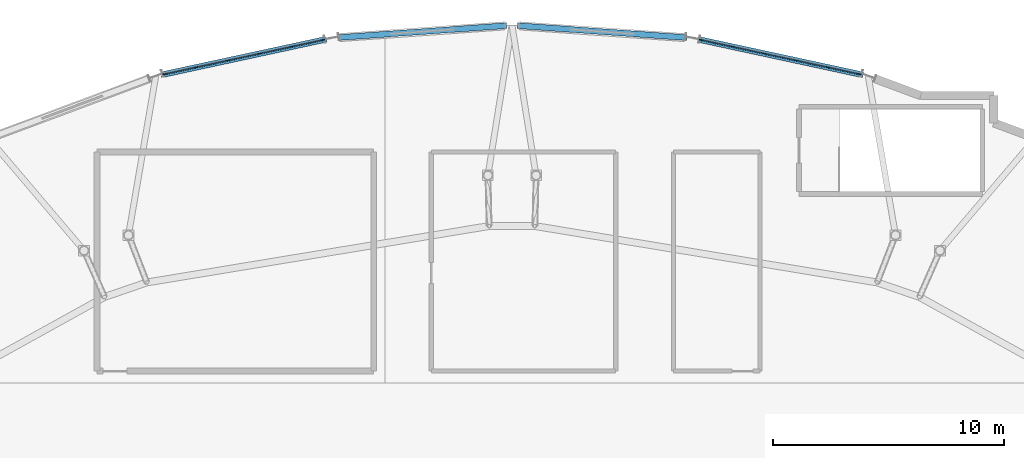
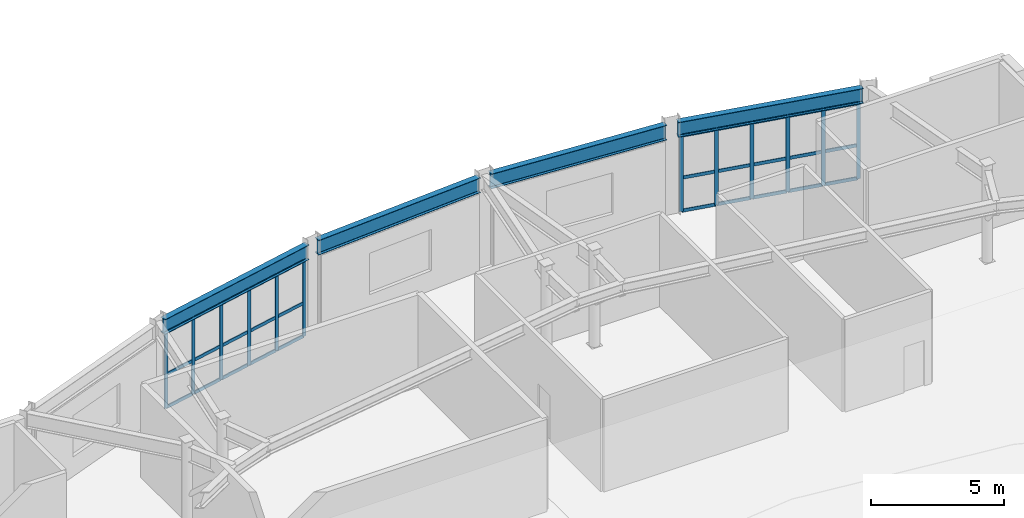
# One storey, part 28 of 48: 42 members, 4 beams, 2 elements without a shape of their own.
"""IFC4 building model written with IfcOpenShell, lengths in metres."""

import ifcopenshell
import ifcopenshell.guid

model = None  # the IFC model being written
_history = None  # IfcOwnerHistory: only IFC2X3 demands one
_inside = {}  # id of a spatial element -> (the spatial element, [elements in it])
_under = {}  # id of a project, library or spatial element -> (it, [spatial elements below it])
_declared = {}  # id of a project -> (the project, [libraries it declares])
_typed = {}  # id of a type object -> (the type object, [elements of that type])
_made_of = {}  # id of a material, layer set ... -> (it, [elements and type objects made of it])


def new_model(schema):
    """Start an empty IFC model of exactly this schema.

    Asked for "IFC4X3", IfcOpenShell would pick the latest addendum, in which some entities
    have other attributes; the version numbers below select the first issue.
    IFC2X3 requires an IfcOwnerHistory on every rooted entity: one is made here for all.
    """
    global model, _history
    if schema == "IFC4X3":
        model = ifcopenshell.file(schema_version=(4, 3, 0, 0))
    else:
        model = ifcopenshell.file(schema=schema)
    _inside.clear()
    _under.clear()
    _declared.clear()
    _typed.clear()
    _made_of.clear()
    _history = None
    if model.schema == "IFC2X3":
        org = make("IfcOrganization", Name="unknown")
        user = make(
            "IfcPersonAndOrganization",
            ThePerson=make("IfcPerson", FamilyName="unknown"),
            TheOrganization=org,
        )
        app = make(
            "IfcApplication",
            ApplicationDeveloper=org,
            Version="unknown",
            ApplicationFullName="unknown",
            ApplicationIdentifier="unknown",
        )
        _history = make(
            "IfcOwnerHistory",
            OwningUser=user,
            OwningApplication=app,
            ChangeAction="ADDED",
            CreationDate=0,
        )
    return model


def make(cls, **values):
    """One entity of the class cls with the attributes given. An attribute that is None is left unset."""
    return model.create_entity(
        cls, **{name: value for name, value in values.items() if value is not None}
    )


def rooted(cls, **values):
    """An entity with a GlobalId (a new one), such as an element, a storey or a relation."""
    return make(cls, GlobalId=ifcopenshell.guid.new(), OwnerHistory=_history, **values)


def si_unit(unit_type, name, prefix=None):
    """IfcSIUnit, for example si_unit("LENGTHUNIT", "METRE", prefix="MILLI")."""
    return make("IfcSIUnit", UnitType=unit_type, Prefix=prefix, Name=name)


def assignment(units):
    """IfcUnitAssignment: the units of a project."""
    return None if units is None else make("IfcUnitAssignment", Units=units)


def point(xyz):
    """IfcCartesianPoint."""
    return None if xyz is None else make("IfcCartesianPoint", Coordinates=xyz)


def direction(xyz):
    """IfcDirection."""
    return None if xyz is None else make("IfcDirection", DirectionRatios=xyz)


def frame(location, z_axis=None, x_axis=None):
    """IfcAxis2Placement3D, a coordinate frame: its origin and axes. An axis left out is left unset."""
    return make(
        "IfcAxis2Placement3D",
        Location=point(location),
        Axis=direction(z_axis),
        RefDirection=direction(x_axis),
    )


def frame_2d(location, x_axis=None):
    """IfcAxis2Placement2D, a coordinate frame in the plane: its origin and x axis."""
    return make(
        "IfcAxis2Placement2D", Location=point(location), RefDirection=direction(x_axis)
    )


def origin():
    """The frame at (0, 0, 0) with its axes left unset."""
    return frame((0.0, 0.0, 0.0))


def origin_2d():
    """The frame at (0, 0) in the plane with its x axis left unset."""
    return frame_2d((0.0, 0.0))


def place(relative_to, where):
    """IfcLocalPlacement: puts the frame where relative to a parent placement (None: the world)."""
    return make(
        "IfcLocalPlacement", PlacementRelTo=relative_to, RelativePlacement=where
    )


def context(
    kind, dimensions, precision=None, world=None, true_north=None, identifier=None
):
    """IfcGeometricRepresentationContext, for example the 3D "Model" context."""
    return make(
        "IfcGeometricRepresentationContext",
        ContextIdentifier=identifier,
        ContextType=kind,
        CoordinateSpaceDimension=dimensions,
        Precision=precision,
        WorldCoordinateSystem=world,
        TrueNorth=true_north,
    )


def subcontext(parent, identifier, kind, view, scale=None):
    """IfcGeometricRepresentationSubContext, for example "Body" below "Model"."""
    return make(
        "IfcGeometricRepresentationSubContext",
        ContextIdentifier=identifier,
        ContextType=kind,
        ParentContext=parent,
        TargetScale=scale,
        TargetView=view,
    )


def project(units=None, contexts=None):
    """IfcProject with its units and contexts."""
    return rooted(
        "IfcProject",
        Name="project",
        RepresentationContexts=contexts,
        UnitsInContext=assignment(units),
    )


def spatial(cls, under=None, at=None, **own):
    """A site, building, storey or space (cls), placed at a placement, below another one or the project."""
    s = rooted(cls, ObjectPlacement=at, **own)
    if under is not None:
        _under.setdefault(under.id(), (under, []))[1].append(s)
    return s


def profile(cls, at=None, kind="AREA", **sizes):
    """A parametric profile (cls). Its sizes go by their IFC names, for example OverallWidth=200.0."""
    return make(cls, ProfileType=kind, Position=at, **sizes)


def rectangle(**sizes):
    """IfcRectangleProfileDef."""
    return profile("IfcRectangleProfileDef", **sizes)


def i_section(**sizes):
    """IfcIShapeProfileDef."""
    return profile("IfcIShapeProfileDef", **sizes)


def extrude(swept, where, along, depth):
    """IfcExtrudedAreaSolid: the profile swept, set in the frame where, extruded along a direction by depth."""
    return make(
        "IfcExtrudedAreaSolid",
        SweptArea=swept,
        Position=where,
        ExtrudedDirection=direction(along),
        Depth=depth,
    )


def shape(context_of_items, identifier, shape_type, items):
    """IfcShapeRepresentation: the items that make up one representation, for example the "Body"."""
    return make(
        "IfcShapeRepresentation",
        ContextOfItems=context_of_items,
        RepresentationIdentifier=identifier,
        RepresentationType=shape_type,
        Items=items,
    )


def material(Name=None, Category=None):
    """IfcMaterial."""
    return make("IfcMaterial", Name=Name, Category=Category)


def material_profile(
    of_material, cross_section, Name=None, Category=None, Priority=None
):
    """IfcMaterialProfile: a cross section and its material."""
    return make(
        "IfcMaterialProfile",
        Name=Name,
        Material=of_material,
        Profile=cross_section,
        Priority=Priority,
        Category=Category,
    )


def profile_set(profiles, Name=None, composite=None):
    """IfcMaterialProfileSet."""
    return make(
        "IfcMaterialProfileSet",
        Name=Name,
        MaterialProfiles=profiles,
        CompositeProfile=composite,
    )


def made_of(thing, what):
    """Note that an element or type object is made of a material, layer set ...; save() writes the relation."""
    if what is not None:
        _made_of.setdefault(what.id(), (what, []))[1].append(thing)
    return thing


def type_object(cls, material=None, **own):
    """A type object (cls), such as IfcWallType, which elements share."""
    return made_of(rooted(cls, **own), material)


def element(
    cls,
    number,
    at=None,
    inside=None,
    cuts=None,
    type_object=None,
    material=None,
    context=None,
    identifier="Body",
    shape_type=None,
    held_by="IfcProductDefinitionShape",
    body=None,
    shapes=None,
    **own,
):
    """One element of the class cls, such as IfcWall. Its Tag is "e" and its number.

    at: its placement. inside: the storey or other place that contains it. cuts: it is an
    opening in that element (IfcRelVoidsElement). A single representation is given by context,
    identifier, shape_type and body (its items); several are given by shapes. held_by: the class
    of the entity that holds the representations. save() writes the other relations.
    """
    e = rooted(cls, Tag="e%d" % number, ObjectPlacement=at, **own)
    if body is not None:
        shapes = [shape(context, identifier, shape_type, body)]
    if shapes is not None:
        e.Representation = make(held_by, Representations=shapes)
    if inside is not None:
        _inside.setdefault(inside.id(), (inside, []))[1].append(e)
    if cuts is not None:
        rooted(
            "IfcRelVoidsElement", RelatingBuildingElement=cuts, RelatedOpeningElement=e
        )
    if type_object is not None:
        _typed.setdefault(type_object.id(), (type_object, []))[1].append(e)
    return made_of(e, material)


def aggregate(whole, parts):
    """IfcRelAggregates: a whole, such as a stair, and the parts it consists of."""
    return rooted("IfcRelAggregates", RelatingObject=whole, RelatedObjects=parts)


def save(model, path):
    """Write the relations noted so far, then the file.

    IfcRelAggregates (storeys below a building ...), IfcRelContainedInSpatialStructure (elements
    in a storey), IfcRelDefinesByType, IfcRelAssociatesMaterial and IfcRelDeclares: one each for
    every whole, place, type object, material and project.
    """
    for whole, parts in _under.values():
        aggregate(whole, parts)
    for where, things in _inside.values():
        rooted(
            "IfcRelContainedInSpatialStructure",
            RelatedElements=things,
            RelatingStructure=where,
        )
    for kind, things in _typed.values():
        rooted("IfcRelDefinesByType", RelatedObjects=things, RelatingType=kind)
    for what, things in _made_of.values():
        rooted("IfcRelAssociatesMaterial", RelatedObjects=things, RelatingMaterial=what)
    for by, libraries in _declared.values():
        rooted("IfcRelDeclares", RelatingContext=by, RelatedDefinitions=libraries)
    model.write(path)


model = new_model("IFC4")

# Units and contexts
model_context = context("Model", 3, precision=1e-05, world=origin(), true_north=direction((0.0, 1.0)))
body_context = subcontext(model_context, "Body", "Model", "MODEL_VIEW")
ifc_project = project(units=[si_unit("LENGTHUNIT", "METRE"), si_unit("AREAUNIT", "SQUARE_METRE"), si_unit("VOLUMEUNIT", "CUBIC_METRE"), si_unit("PLANEANGLEUNIT", "RADIAN"), si_unit("MASSUNIT", "GRAM", prefix="KILO")], contexts=[model_context])

# Site, building, storey
site_placement = place(None, origin())
site = spatial("IfcSite", under=ifc_project, at=site_placement, CompositionType="ELEMENT")
building_placement = place(site_placement, origin())
building = spatial("IfcBuilding", under=site, at=building_placement, Name="Glasvene Arena", CompositionType="ELEMENT")
storey_placement = place(building_placement, frame((0.0, 0.0, 19.5)))
storey = spatial("IfcBuildingStorey", under=building, at=storey_placement, Name="L04", CompositionType="ELEMENT", Elevation=19.5)

# Beams
ifc_material_1 = material(Name="Steel S355J2", Category="steel")
ifc_material_profile_1 = material_profile(ifc_material_1, i_section(OverallWidth=0.253662109375, OverallDepth=0.68359375, WebThickness=0.012451171875, FlangeThickness=0.01904296875, FilletRadius=0.01513671875, at=origin_2d()), Name="UKB 686x254x140")
ifc_profile_set_1 = profile_set([ifc_material_profile_1], Name="Steel S355J2")
beam_type = type_object("IfcBeamType", Name="BM-GIRD-686", PredefinedType="BEAM", material=ifc_profile_set_1)
beam_1_placement = place(storey_placement, frame((107.21630859375, 115.84814453125, 3.908203125), z_axis=(-0.97744150895, 0.211206289161, 0.0), x_axis=(-0.211206289161, -0.97744150895, 0.0)))
element("IfcBeam", 1, at=beam_1_placement, inside=storey, type_object=beam_type, Name="Bowl ring chord beam L04-09", PredefinedType="BEAM", context=body_context, shape_type="SweptSolid", body=[
    extrude(i_section(OverallWidth=0.253662109375, OverallDepth=0.68359375, WebThickness=0.012451171875, FlangeThickness=0.01904296875, FilletRadius=0.01513671875, at=origin_2d()), origin(), (0.0, 0.0, 1.0), 7.3251953125),
])
for number, where, z_axis, x_axis, name in (
    (2, (99.582275390625, 117.462890625, 3.908203125), (-0.997501616337, 0.070643650844, 0.0), (-0.070643650844, -0.997501616337, 0.0), "Bowl ring chord beam L04-10"),
    (3, (91.760498046875, 117.98291015625, 3.908203125), (-0.997501616337, -0.070643650844, 0.0), (0.070643650844, -0.997501616337, 0.0), "Bowl ring chord beam L04-11"),
):
    element("IfcBeam", number, at=place(storey_placement, frame(where, z_axis=z_axis, x_axis=x_axis)), inside=storey, type_object=beam_type, Name=name, PredefinedType="BEAM", context=body_context, shape_type="SweptSolid", body=[
        extrude(i_section(OverallWidth=0.253662109375, OverallDepth=0.68359375, WebThickness=0.012451171875, FlangeThickness=0.01904296875, FilletRadius=0.01513671875, at=origin_2d()), origin(), (0.0, 0.0, 1.0), 7.361083984375),
    ])
beam_2_placement = place(storey_placement, frame((83.943603515625, 117.395263671875, 3.908203125), z_axis=(-0.97744150895, -0.211206289161, 0.0), x_axis=(0.211206289161, -0.97744150895, 0.0)))
element("IfcBeam", 4, at=beam_2_placement, inside=storey, type_object=beam_type, Name="Bowl ring chord beam L04-12", PredefinedType="BEAM", context=body_context, shape_type="SweptSolid", body=[
    extrude(i_section(OverallWidth=0.253662109375, OverallDepth=0.68359375, WebThickness=0.012451171875, FlangeThickness=0.01904296875, FilletRadius=0.01513671875, at=origin_2d()), origin(), (0.0, 0.0, 1.0), 7.3251953125),
])

# Curtain wall, members
ifc_material_2 = material(Name="Low-emissivity laminated double glazing", Category="glass")
curtain_wall_type = type_object("IfcCurtainWallType", Name="CW-FAC-L04-707x350", PredefinedType="USERDEFINED", material=ifc_material_2)
curtain_wall_1_placement = place(storey_placement, frame((76.910888671875, 115.87548828125, 0.0)))
curtain_wall_1 = element("IfcCurtainWall", 5, at=curtain_wall_1_placement, inside=storey, type_object=curtain_wall_type, Name="Unitised curtain wall CW-F-L04-150-804-1166-22", ObjectType="CURTAIN WALL", PredefinedType="USERDEFINED")
ifc_material_3 = material(Name="Anodised architectural aluminium", Category="aluminium")
ifc_material_profile_2 = material_profile(ifc_material_3, rectangle(XDim=0.050048828125, YDim=0.159912109375, at=origin_2d()), Name="ALU MULLION 50x160")
ifc_profile_set_2 = profile_set([ifc_material_profile_2], Name="Anodised architectural aluminium")
member_type_1 = type_object("IfcMemberType", Name="CW-MUL-150", PredefinedType="MULLION", material=ifc_profile_set_2)
member_1_placement = place(storey_placement, frame((76.935302734375, 115.880859375, 0.06005859375), z_axis=(0.0, 0.0, 1.0), x_axis=(-0.211220641072, 0.977438407668, 0.0)))
member_1 = element("IfcMember", 6, at=member_1_placement, type_object=member_type_1, Name="CW-049 mullion 1", PredefinedType="MULLION", context=body_context, shape_type="SweptSolid", body=[
    extrude(rectangle(XDim=0.050048828125, YDim=0.159912109375, at=origin_2d()), origin(), (0.0, 0.0, 1.0), 3.501953125),
])
member_2_placement = place(storey_placement, frame((78.29248046875, 116.174072265625, 0.06005859375), z_axis=(0.0, 0.0, 1.0), x_axis=(-0.211220641072, 0.977438407668, 0.0)))
member_2 = element("IfcMember", 7, at=member_2_placement, type_object=member_type_1, Name="CW-049 mullion 2", PredefinedType="MULLION", context=body_context, shape_type="SweptSolid", body=[
    extrude(rectangle(XDim=0.050048828125, YDim=0.159912109375, at=origin_2d()), origin(), (0.0, 0.0, 1.0), 3.501953125),
])
member_3_placement = place(storey_placement, frame((79.67431640625, 116.47265625, 0.06005859375), z_axis=(0.0, 0.0, 1.0), x_axis=(-0.211220641072, 0.977438407668, 0.0)))
member_3 = element("IfcMember", 8, at=member_3_placement, type_object=member_type_1, Name="CW-049 mullion 3", PredefinedType="MULLION", context=body_context, shape_type="SweptSolid", body=[
    extrude(rectangle(XDim=0.050048828125, YDim=0.159912109375, at=origin_2d()), origin(), (0.0, 0.0, 1.0), 3.501953125),
])
member_4_placement = place(storey_placement, frame((81.055908203125, 116.771240234375, 0.06005859375), z_axis=(0.0, 0.0, 1.0), x_axis=(-0.211220641072, 0.977438407668, 0.0)))
member_4 = element("IfcMember", 9, at=member_4_placement, type_object=member_type_1, Name="CW-049 mullion 4", PredefinedType="MULLION", context=body_context, shape_type="SweptSolid", body=[
    extrude(rectangle(XDim=0.050048828125, YDim=0.159912109375, at=origin_2d()), origin(), (0.0, 0.0, 1.0), 3.501953125),
])
member_5_placement = place(storey_placement, frame((82.4375, 117.06982421875, 0.06005859375), z_axis=(0.0, 0.0, 1.0), x_axis=(-0.211220641072, 0.977438407668, 0.0)))
member_5 = element("IfcMember", 10, at=member_5_placement, type_object=member_type_1, Name="CW-049 mullion 5", PredefinedType="MULLION", context=body_context, shape_type="SweptSolid", body=[
    extrude(rectangle(XDim=0.050048828125, YDim=0.159912109375, at=origin_2d()), origin(), (0.0, 0.0, 1.0), 3.501953125),
])
member_6_placement = place(storey_placement, frame((83.794921875, 117.36328125, 0.06005859375), z_axis=(0.0, 0.0, 1.0), x_axis=(-0.211220641072, 0.977438407668, 0.0)))
member_6 = element("IfcMember", 11, at=member_6_placement, type_object=member_type_1, Name="CW-049 mullion 6", PredefinedType="MULLION", context=body_context, shape_type="SweptSolid", body=[
    extrude(rectangle(XDim=0.050048828125, YDim=0.159912109375, at=origin_2d()), origin(), (0.0, 0.0, 1.0), 3.501953125),
])

curtain_wall_2_placement = place(storey_placement, frame((100.1806640625, 117.368408203125, 0.0)))
curtain_wall_2 = element("IfcCurtainWall", 12, at=curtain_wall_2_placement, inside=storey, type_object=curtain_wall_type, Name="Unitised curtain wall CW-F-L04-150-1036-1166-25", ObjectType="CURTAIN WALL", PredefinedType="USERDEFINED")
member_7_placement = place(storey_placement, frame((100.205078125, 117.36328125, 0.06005859375), z_axis=(0.0, 0.0, 1.0), x_axis=(0.211220641072, 0.977438407668, 0.0)))
member_7 = element("IfcMember", 13, at=member_7_placement, type_object=member_type_1, Name="CW-049 mullion 1", PredefinedType="MULLION", context=body_context, shape_type="SweptSolid", body=[
    extrude(rectangle(XDim=0.050048828125, YDim=0.159912109375, at=origin_2d()), origin(), (0.0, 0.0, 1.0), 3.501953125),
])
member_8_placement = place(storey_placement, frame((101.5625, 117.06982421875, 0.06005859375), z_axis=(0.0, 0.0, 1.0), x_axis=(0.211220641072, 0.977438407668, 0.0)))
member_8 = element("IfcMember", 14, at=member_8_placement, type_object=member_type_1, Name="CW-049 mullion 2", PredefinedType="MULLION", context=body_context, shape_type="SweptSolid", body=[
    extrude(rectangle(XDim=0.050048828125, YDim=0.159912109375, at=origin_2d()), origin(), (0.0, 0.0, 1.0), 3.501953125),
])
member_9_placement = place(storey_placement, frame((102.944091796875, 116.771240234375, 0.06005859375), z_axis=(0.0, 0.0, 1.0), x_axis=(0.211220641072, 0.977438407668, 0.0)))
member_9 = element("IfcMember", 15, at=member_9_placement, type_object=member_type_1, Name="CW-049 mullion 3", PredefinedType="MULLION", context=body_context, shape_type="SweptSolid", body=[
    extrude(rectangle(XDim=0.050048828125, YDim=0.159912109375, at=origin_2d()), origin(), (0.0, 0.0, 1.0), 3.501953125),
])
member_10_placement = place(storey_placement, frame((104.32568359375, 116.47265625, 0.06005859375), z_axis=(0.0, 0.0, 1.0), x_axis=(0.211220641072, 0.977438407668, 0.0)))
member_10 = element("IfcMember", 16, at=member_10_placement, type_object=member_type_1, Name="CW-049 mullion 4", PredefinedType="MULLION", context=body_context, shape_type="SweptSolid", body=[
    extrude(rectangle(XDim=0.050048828125, YDim=0.159912109375, at=origin_2d()), origin(), (0.0, 0.0, 1.0), 3.501953125),
])
member_11_placement = place(storey_placement, frame((105.70751953125, 116.174072265625, 0.06005859375), z_axis=(0.0, 0.0, 1.0), x_axis=(0.211220641072, 0.977438407668, 0.0)))
member_11 = element("IfcMember", 17, at=member_11_placement, type_object=member_type_1, Name="CW-049 mullion 5", PredefinedType="MULLION", context=body_context, shape_type="SweptSolid", body=[
    extrude(rectangle(XDim=0.050048828125, YDim=0.159912109375, at=origin_2d()), origin(), (0.0, 0.0, 1.0), 3.501953125),
])
member_12_placement = place(storey_placement, frame((107.064697265625, 115.880859375, 0.06005859375), z_axis=(0.0, 0.0, 1.0), x_axis=(0.211220641072, 0.977438407668, 0.0)))
member_12 = element("IfcMember", 18, at=member_12_placement, type_object=member_type_1, Name="CW-049 mullion 6", PredefinedType="MULLION", context=body_context, shape_type="SweptSolid", body=[
    extrude(rectangle(XDim=0.050048828125, YDim=0.159912109375, at=origin_2d()), origin(), (0.0, 0.0, 1.0), 3.501953125),
])

# Member
ifc_material_profile_3 = material_profile(ifc_material_3, rectangle(XDim=0.050048828125, YDim=0.14990234375, at=origin_2d()), Name="ALU TRANSOM 50x150")
ifc_profile_set_3 = profile_set([ifc_material_profile_3], Name="Anodised architectural aluminium")
member_type_2 = type_object("IfcMemberType", Name="CW-TRN-150", PredefinedType="USERDEFINED", material=ifc_profile_set_3)
member_13_placement = place(storey_placement, frame((76.959716796875, 115.88623046875, 0.0849609375), z_axis=(0.977440632027, 0.211210347432, 0.0), x_axis=(-0.211210347432, 0.977440632027, 0.0)))
member_13 = element("IfcMember", 19, at=member_13_placement, type_object=member_type_2, Name="CW-049 transom 1.1", ObjectType="TRANSOM", PredefinedType="USERDEFINED", context=body_context, shape_type="SweptSolid", body=[
    extrude(rectangle(XDim=0.050048828125, YDim=0.14990234375, at=origin_2d()), origin(), (0.0, 0.0, 1.0), 1.338623046875),
])

member_14_placement = place(storey_placement, frame((76.959716796875, 115.88623046875, 1.60302734375), z_axis=(0.977440632027, 0.211210347432, 0.0), x_axis=(-0.211210347432, 0.977440632027, 0.0)))
member_14 = element("IfcMember", 20, at=member_14_placement, type_object=member_type_2, Name="CW-049 transom 1.2", ObjectType="TRANSOM", PredefinedType="USERDEFINED", context=body_context, shape_type="SweptSolid", body=[
    extrude(rectangle(XDim=0.050048828125, YDim=0.14990234375, at=origin_2d()), origin(), (0.0, 0.0, 1.0), 1.338623046875),
])

member_15_placement = place(storey_placement, frame((76.959716796875, 115.88623046875, 3.537109375), z_axis=(0.977440632027, 0.211210347432, 0.0), x_axis=(-0.211210347432, 0.977440632027, 0.0)))
member_15 = element("IfcMember", 21, at=member_15_placement, type_object=member_type_2, Name="CW-049 transom 1.3", ObjectType="TRANSOM", PredefinedType="USERDEFINED", context=body_context, shape_type="SweptSolid", body=[
    extrude(rectangle(XDim=0.050048828125, YDim=0.14990234375, at=origin_2d()), origin(), (0.0, 0.0, 1.0), 1.338623046875),
])

member_16_placement = place(storey_placement, frame((78.31689453125, 116.179443359375, 0.0849609375), z_axis=(0.977426158745, 0.211277315867, 0.0), x_axis=(-0.211277315867, 0.977426158745, 0.0)))
member_16 = element("IfcMember", 22, at=member_16_placement, type_object=member_type_2, Name="CW-049 transom 2.1", ObjectType="TRANSOM", PredefinedType="USERDEFINED", context=body_context, shape_type="SweptSolid", body=[
    extrude(rectangle(XDim=0.050048828125, YDim=0.14990234375, at=origin_2d()), origin(), (0.0, 0.0, 1.0), 1.363525390625),
])

member_17_placement = place(storey_placement, frame((78.31689453125, 116.179443359375, 1.60302734375), z_axis=(0.977426158745, 0.211277315867, 0.0), x_axis=(-0.211277315867, 0.977426158745, 0.0)))
member_17 = element("IfcMember", 23, at=member_17_placement, type_object=member_type_2, Name="CW-049 transom 2.2", ObjectType="TRANSOM", PredefinedType="USERDEFINED", context=body_context, shape_type="SweptSolid", body=[
    extrude(rectangle(XDim=0.050048828125, YDim=0.14990234375, at=origin_2d()), origin(), (0.0, 0.0, 1.0), 1.363525390625),
])

member_18_placement = place(storey_placement, frame((78.31689453125, 116.179443359375, 3.537109375), z_axis=(0.977426158745, 0.211277315867, 0.0), x_axis=(-0.211277315867, 0.977426158745, 0.0)))
member_18 = element("IfcMember", 24, at=member_18_placement, type_object=member_type_2, Name="CW-049 transom 2.3", ObjectType="TRANSOM", PredefinedType="USERDEFINED", context=body_context, shape_type="SweptSolid", body=[
    extrude(rectangle(XDim=0.050048828125, YDim=0.14990234375, at=origin_2d()), origin(), (0.0, 0.0, 1.0), 1.363525390625),
])

member_19_placement = place(storey_placement, frame((79.69873046875, 116.47802734375, 0.0849609375), z_axis=(0.977426158745, 0.211277315867, 0.0), x_axis=(-0.211277315867, 0.977426158745, 0.0)))
member_19 = element("IfcMember", 25, at=member_19_placement, type_object=member_type_2, Name="CW-049 transom 3.1", ObjectType="TRANSOM", PredefinedType="USERDEFINED", context=body_context, shape_type="SweptSolid", body=[
    extrude(rectangle(XDim=0.050048828125, YDim=0.14990234375, at=origin_2d()), origin(), (0.0, 0.0, 1.0), 1.363525390625),
])

member_20_placement = place(storey_placement, frame((79.69873046875, 116.47802734375, 1.60302734375), z_axis=(0.977426158745, 0.211277315867, 0.0), x_axis=(-0.211277315867, 0.977426158745, 0.0)))
member_20 = element("IfcMember", 26, at=member_20_placement, type_object=member_type_2, Name="CW-049 transom 3.2", ObjectType="TRANSOM", PredefinedType="USERDEFINED", context=body_context, shape_type="SweptSolid", body=[
    extrude(rectangle(XDim=0.050048828125, YDim=0.14990234375, at=origin_2d()), origin(), (0.0, 0.0, 1.0), 1.363525390625),
])

member_21_placement = place(storey_placement, frame((79.69873046875, 116.47802734375, 3.537109375), z_axis=(0.977426158745, 0.211277315867, 0.0), x_axis=(-0.211277315867, 0.977426158745, 0.0)))
member_21 = element("IfcMember", 27, at=member_21_placement, type_object=member_type_2, Name="CW-049 transom 3.3", ObjectType="TRANSOM", PredefinedType="USERDEFINED", context=body_context, shape_type="SweptSolid", body=[
    extrude(rectangle(XDim=0.050048828125, YDim=0.14990234375, at=origin_2d()), origin(), (0.0, 0.0, 1.0), 1.363525390625),
])

member_22_placement = place(storey_placement, frame((81.080322265625, 116.776611328125, 0.0849609375), z_axis=(0.977426158745, 0.211277315867, 0.0), x_axis=(-0.211277315867, 0.977426158745, 0.0)))
member_22 = element("IfcMember", 28, at=member_22_placement, type_object=member_type_2, Name="CW-049 transom 4.1", ObjectType="TRANSOM", PredefinedType="USERDEFINED", context=body_context, shape_type="SweptSolid", body=[
    extrude(rectangle(XDim=0.050048828125, YDim=0.14990234375, at=origin_2d()), origin(), (0.0, 0.0, 1.0), 1.363525390625),
])

member_23_placement = place(storey_placement, frame((81.080322265625, 116.776611328125, 1.60302734375), z_axis=(0.977426158745, 0.211277315867, 0.0), x_axis=(-0.211277315867, 0.977426158745, 0.0)))
member_23 = element("IfcMember", 29, at=member_23_placement, type_object=member_type_2, Name="CW-049 transom 4.2", ObjectType="TRANSOM", PredefinedType="USERDEFINED", context=body_context, shape_type="SweptSolid", body=[
    extrude(rectangle(XDim=0.050048828125, YDim=0.14990234375, at=origin_2d()), origin(), (0.0, 0.0, 1.0), 1.363525390625),
])

member_24_placement = place(storey_placement, frame((81.080322265625, 116.776611328125, 3.537109375), z_axis=(0.977426158745, 0.211277315867, 0.0), x_axis=(-0.211277315867, 0.977426158745, 0.0)))
member_24 = element("IfcMember", 30, at=member_24_placement, type_object=member_type_2, Name="CW-049 transom 4.3", ObjectType="TRANSOM", PredefinedType="USERDEFINED", context=body_context, shape_type="SweptSolid", body=[
    extrude(rectangle(XDim=0.050048828125, YDim=0.14990234375, at=origin_2d()), origin(), (0.0, 0.0, 1.0), 1.363525390625),
])

member_25_placement = place(storey_placement, frame((82.4619140625, 117.0751953125, 0.0849609375), z_axis=(0.97744876634, 0.211172699892, 0.0), x_axis=(-0.211172699892, 0.97744876634, 0.0)))
member_25 = element("IfcMember", 31, at=member_25_placement, type_object=member_type_2, Name="CW-049 transom 5.1", ObjectType="TRANSOM", PredefinedType="USERDEFINED", context=body_context, shape_type="SweptSolid", body=[
    extrude(rectangle(XDim=0.050048828125, YDim=0.14990234375, at=origin_2d()), origin(), (0.0, 0.0, 1.0), 1.3388671875),
])

member_26_placement = place(storey_placement, frame((82.4619140625, 117.0751953125, 1.60302734375), z_axis=(0.97744876634, 0.211172699892, 0.0), x_axis=(-0.211172699892, 0.97744876634, 0.0)))
member_26 = element("IfcMember", 32, at=member_26_placement, type_object=member_type_2, Name="CW-049 transom 5.2", ObjectType="TRANSOM", PredefinedType="USERDEFINED", context=body_context, shape_type="SweptSolid", body=[
    extrude(rectangle(XDim=0.050048828125, YDim=0.14990234375, at=origin_2d()), origin(), (0.0, 0.0, 1.0), 1.3388671875),
])

member_27_placement = place(storey_placement, frame((82.4619140625, 117.0751953125, 3.537109375), z_axis=(0.97744876634, 0.211172699892, 0.0), x_axis=(-0.211172699892, 0.97744876634, 0.0)))
member_27 = element("IfcMember", 33, at=member_27_placement, type_object=member_type_2, Name="CW-049 transom 5.3", ObjectType="TRANSOM", PredefinedType="USERDEFINED", context=body_context, shape_type="SweptSolid", body=[
    extrude(rectangle(XDim=0.050048828125, YDim=0.14990234375, at=origin_2d()), origin(), (0.0, 0.0, 1.0), 1.3388671875),
])

aggregate(curtain_wall_1, [member_1, member_2, member_3, member_4, member_5, member_6, member_13, member_14, member_15, member_16, member_17, member_18, member_19, member_20, member_21, member_22, member_23, member_24, member_25, member_26, member_27])

member_28_placement = place(storey_placement, frame((100.2294921875, 117.35791015625, 0.0849609375), z_axis=(0.97744876634, -0.211172699892, 0.0), x_axis=(0.211172699892, 0.97744876634, 0.0)))
member_28 = element("IfcMember", 34, at=member_28_placement, type_object=member_type_2, Name="CW-049 transom 1.1", ObjectType="TRANSOM", PredefinedType="USERDEFINED", context=body_context, shape_type="SweptSolid", body=[
    extrude(rectangle(XDim=0.050048828125, YDim=0.14990234375, at=origin_2d()), origin(), (0.0, 0.0, 1.0), 1.3388671875),
])

member_29_placement = place(storey_placement, frame((100.2294921875, 117.35791015625, 1.60302734375), z_axis=(0.97744876634, -0.211172699892, 0.0), x_axis=(0.211172699892, 0.97744876634, 0.0)))
member_29 = element("IfcMember", 35, at=member_29_placement, type_object=member_type_2, Name="CW-049 transom 1.2", ObjectType="TRANSOM", PredefinedType="USERDEFINED", context=body_context, shape_type="SweptSolid", body=[
    extrude(rectangle(XDim=0.050048828125, YDim=0.14990234375, at=origin_2d()), origin(), (0.0, 0.0, 1.0), 1.3388671875),
])

member_30_placement = place(storey_placement, frame((100.2294921875, 117.35791015625, 3.537109375), z_axis=(0.97744876634, -0.211172699892, 0.0), x_axis=(0.211172699892, 0.97744876634, 0.0)))
member_30 = element("IfcMember", 36, at=member_30_placement, type_object=member_type_2, Name="CW-049 transom 1.3", ObjectType="TRANSOM", PredefinedType="USERDEFINED", context=body_context, shape_type="SweptSolid", body=[
    extrude(rectangle(XDim=0.050048828125, YDim=0.14990234375, at=origin_2d()), origin(), (0.0, 0.0, 1.0), 1.3388671875),
])

member_31_placement = place(storey_placement, frame((101.5869140625, 117.064697265625, 0.0849609375), z_axis=(0.977426158745, -0.211277315867, 0.0), x_axis=(0.211277315867, 0.977426158745, 0.0)))
member_31 = element("IfcMember", 37, at=member_31_placement, type_object=member_type_2, Name="CW-049 transom 2.1", ObjectType="TRANSOM", PredefinedType="USERDEFINED", context=body_context, shape_type="SweptSolid", body=[
    extrude(rectangle(XDim=0.050048828125, YDim=0.14990234375, at=origin_2d()), origin(), (0.0, 0.0, 1.0), 1.363525390625),
])

member_32_placement = place(storey_placement, frame((101.5869140625, 117.064697265625, 1.60302734375), z_axis=(0.977426158745, -0.211277315867, 0.0), x_axis=(0.211277315867, 0.977426158745, 0.0)))
member_32 = element("IfcMember", 38, at=member_32_placement, type_object=member_type_2, Name="CW-049 transom 2.2", ObjectType="TRANSOM", PredefinedType="USERDEFINED", context=body_context, shape_type="SweptSolid", body=[
    extrude(rectangle(XDim=0.050048828125, YDim=0.14990234375, at=origin_2d()), origin(), (0.0, 0.0, 1.0), 1.363525390625),
])

member_33_placement = place(storey_placement, frame((101.5869140625, 117.064697265625, 3.537109375), z_axis=(0.977426158745, -0.211277315867, 0.0), x_axis=(0.211277315867, 0.977426158745, 0.0)))
member_33 = element("IfcMember", 39, at=member_33_placement, type_object=member_type_2, Name="CW-049 transom 2.3", ObjectType="TRANSOM", PredefinedType="USERDEFINED", context=body_context, shape_type="SweptSolid", body=[
    extrude(rectangle(XDim=0.050048828125, YDim=0.14990234375, at=origin_2d()), origin(), (0.0, 0.0, 1.0), 1.363525390625),
])

member_34_placement = place(storey_placement, frame((102.968505859375, 116.76611328125, 0.0849609375), z_axis=(0.977426158745, -0.211277315867, 0.0), x_axis=(0.211277315867, 0.977426158745, 0.0)))
member_34 = element("IfcMember", 40, at=member_34_placement, type_object=member_type_2, Name="CW-049 transom 3.1", ObjectType="TRANSOM", PredefinedType="USERDEFINED", context=body_context, shape_type="SweptSolid", body=[
    extrude(rectangle(XDim=0.050048828125, YDim=0.14990234375, at=origin_2d()), origin(), (0.0, 0.0, 1.0), 1.363525390625),
])

member_35_placement = place(storey_placement, frame((102.968505859375, 116.76611328125, 1.60302734375), z_axis=(0.977426158745, -0.211277315867, 0.0), x_axis=(0.211277315867, 0.977426158745, 0.0)))
member_35 = element("IfcMember", 41, at=member_35_placement, type_object=member_type_2, Name="CW-049 transom 3.2", ObjectType="TRANSOM", PredefinedType="USERDEFINED", context=body_context, shape_type="SweptSolid", body=[
    extrude(rectangle(XDim=0.050048828125, YDim=0.14990234375, at=origin_2d()), origin(), (0.0, 0.0, 1.0), 1.363525390625),
])

member_36_placement = place(storey_placement, frame((102.968505859375, 116.76611328125, 3.537109375), z_axis=(0.977426158745, -0.211277315867, 0.0), x_axis=(0.211277315867, 0.977426158745, 0.0)))
member_36 = element("IfcMember", 42, at=member_36_placement, type_object=member_type_2, Name="CW-049 transom 3.3", ObjectType="TRANSOM", PredefinedType="USERDEFINED", context=body_context, shape_type="SweptSolid", body=[
    extrude(rectangle(XDim=0.050048828125, YDim=0.14990234375, at=origin_2d()), origin(), (0.0, 0.0, 1.0), 1.363525390625),
])

member_37_placement = place(storey_placement, frame((104.350341796875, 116.467529296875, 0.0849609375), z_axis=(0.977426158745, -0.211277315867, 0.0), x_axis=(0.211277315867, 0.977426158745, 0.0)))
member_37 = element("IfcMember", 43, at=member_37_placement, type_object=member_type_2, Name="CW-049 transom 4.1", ObjectType="TRANSOM", PredefinedType="USERDEFINED", context=body_context, shape_type="SweptSolid", body=[
    extrude(rectangle(XDim=0.050048828125, YDim=0.14990234375, at=origin_2d()), origin(), (0.0, 0.0, 1.0), 1.363525390625),
])

member_38_placement = place(storey_placement, frame((104.350341796875, 116.467529296875, 1.60302734375), z_axis=(0.977426158745, -0.211277315867, 0.0), x_axis=(0.211277315867, 0.977426158745, 0.0)))
member_38 = element("IfcMember", 44, at=member_38_placement, type_object=member_type_2, Name="CW-049 transom 4.2", ObjectType="TRANSOM", PredefinedType="USERDEFINED", context=body_context, shape_type="SweptSolid", body=[
    extrude(rectangle(XDim=0.050048828125, YDim=0.14990234375, at=origin_2d()), origin(), (0.0, 0.0, 1.0), 1.363525390625),
])

member_39_placement = place(storey_placement, frame((104.350341796875, 116.467529296875, 3.537109375), z_axis=(0.977426158745, -0.211277315867, 0.0), x_axis=(0.211277315867, 0.977426158745, 0.0)))
member_39 = element("IfcMember", 45, at=member_39_placement, type_object=member_type_2, Name="CW-049 transom 4.3", ObjectType="TRANSOM", PredefinedType="USERDEFINED", context=body_context, shape_type="SweptSolid", body=[
    extrude(rectangle(XDim=0.050048828125, YDim=0.14990234375, at=origin_2d()), origin(), (0.0, 0.0, 1.0), 1.363525390625),
])

member_40_placement = place(storey_placement, frame((105.73193359375, 116.1689453125, 0.0849609375), z_axis=(0.977440632027, -0.211210347432, 0.0), x_axis=(0.211210347432, 0.977440632027, 0.0)))
member_40 = element("IfcMember", 46, at=member_40_placement, type_object=member_type_2, Name="CW-049 transom 5.1", ObjectType="TRANSOM", PredefinedType="USERDEFINED", context=body_context, shape_type="SweptSolid", body=[
    extrude(rectangle(XDim=0.050048828125, YDim=0.14990234375, at=origin_2d()), origin(), (0.0, 0.0, 1.0), 1.338623046875),
])

member_41_placement = place(storey_placement, frame((105.73193359375, 116.1689453125, 1.60302734375), z_axis=(0.977440632027, -0.211210347432, 0.0), x_axis=(0.211210347432, 0.977440632027, 0.0)))
member_41 = element("IfcMember", 47, at=member_41_placement, type_object=member_type_2, Name="CW-049 transom 5.2", ObjectType="TRANSOM", PredefinedType="USERDEFINED", context=body_context, shape_type="SweptSolid", body=[
    extrude(rectangle(XDim=0.050048828125, YDim=0.14990234375, at=origin_2d()), origin(), (0.0, 0.0, 1.0), 1.338623046875),
])

member_42_placement = place(storey_placement, frame((105.73193359375, 116.1689453125, 3.537109375), z_axis=(0.977440632027, -0.211210347432, 0.0), x_axis=(0.211210347432, 0.977440632027, 0.0)))
member_42 = element("IfcMember", 48, at=member_42_placement, type_object=member_type_2, Name="CW-049 transom 5.3", ObjectType="TRANSOM", PredefinedType="USERDEFINED", context=body_context, shape_type="SweptSolid", body=[
    extrude(rectangle(XDim=0.050048828125, YDim=0.14990234375, at=origin_2d()), origin(), (0.0, 0.0, 1.0), 1.338623046875),
])

aggregate(curtain_wall_2, [member_7, member_8, member_9, member_10, member_11, member_12, member_28, member_29, member_30, member_31, member_32, member_33, member_34, member_35, member_36, member_37, member_38, member_39, member_40, member_41, member_42])

save(model, "model.ifc")
